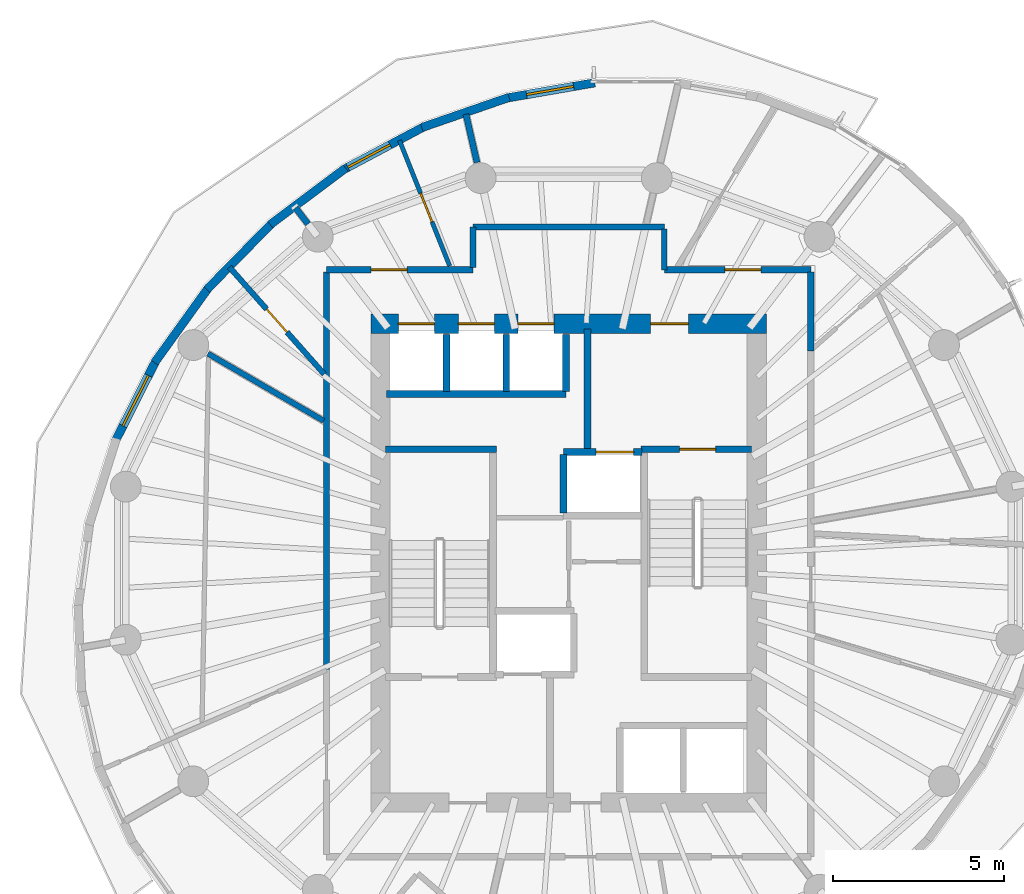
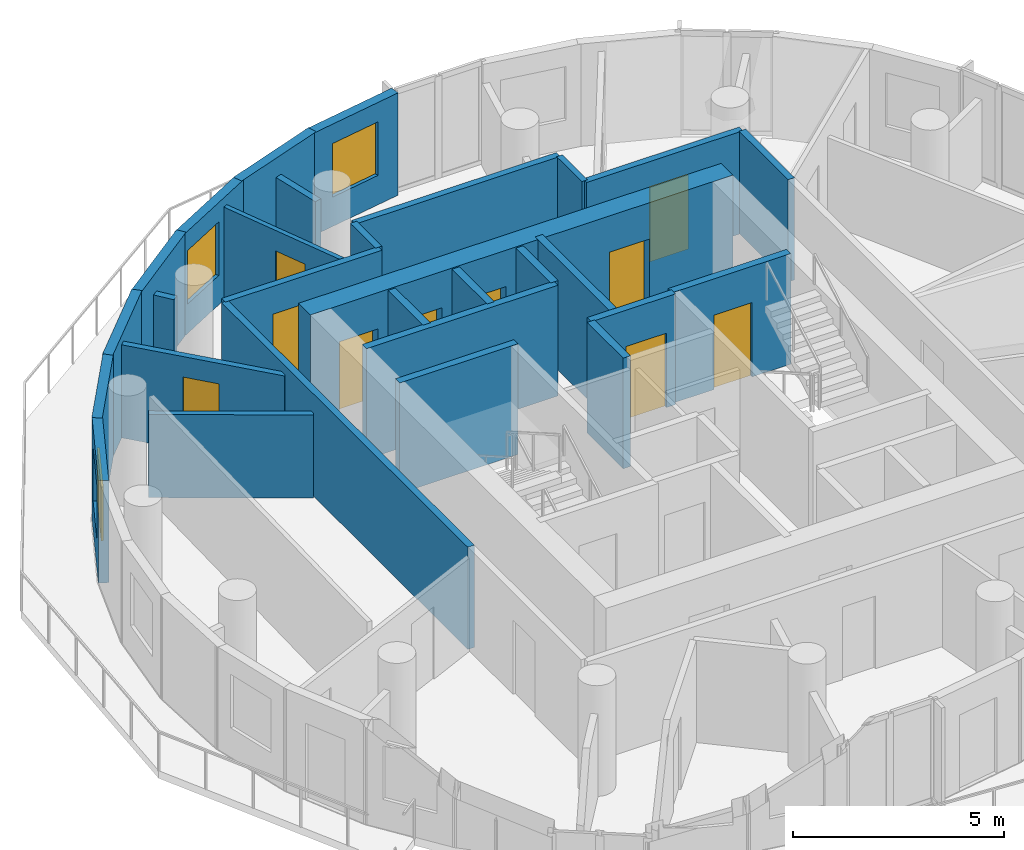
# One storey, part 6 of 10: 29 walls, 10 doors, 3 windows, 13 openings.
"""IFC4 building model written with IfcOpenShell, lengths in metres."""

from ifc_helpers import new_model, si_unit, direction, frame, frame_2d, origin, place, context, subcontext, project, spatial, rectangle, extrude, material, layer, layer_set, type_object, element, fill, save


model = new_model("IFC4")

# Units and contexts
model_context = context("Model", 3, precision=1e-05, world=origin(), true_north=direction((0.0, 1.0)))
body_context = subcontext(model_context, "Body", "Model", "MODEL_VIEW")
ifc_project = project(units=[si_unit("LENGTHUNIT", "METRE"), si_unit("AREAUNIT", "SQUARE_METRE"), si_unit("VOLUMEUNIT", "CUBIC_METRE"), si_unit("PLANEANGLEUNIT", "RADIAN"), si_unit("MASSUNIT", "GRAM", prefix="KILO")], contexts=[model_context])

# Site, building, storey
site_placement = place(None, origin())
site = spatial("IfcSite", under=ifc_project, at=site_placement, CompositionType="ELEMENT")
building_placement = place(site_placement, origin())
building = spatial("IfcBuilding", under=site, at=building_placement, Name="Veldorim Arch Residences", CompositionType="ELEMENT")
storey_placement = place(building_placement, frame((0.0, 0.0, 172.639892578125)))
storey = spatial("IfcBuildingStorey", under=building, at=storey_placement, Name="L51", CompositionType="ELEMENT", Elevation=172.639892578125)

# Wall, opening, door
ifc_material_1 = material(Name="Acoustic Gypsum Board", Category="gypsum")
ifc_layer_1 = layer(ifc_material_1, 0.125, Name="Acoustic Stud Room Partition Wall 125")
ifc_layer_set_1 = layer_set([ifc_layer_1], Name="Acoustic Gypsum Board")
wall_type_1 = type_object("IfcWallType", Name="Acoustic Stud Room Partition Wall 125", PredefinedType="PARTITIONING", material=ifc_layer_set_1)
wall_1_placement = place(storey_placement, frame((27.052734375, 36.364990234375, 0.0), z_axis=(0.0, 0.0, 1.0), x_axis=(0.371454506587, -0.928451156247, 0.0)))
wall_1 = element("IfcWall", 1, at=wall_1_placement, inside=storey, type_object=wall_type_1, Name="L51 interior wall WL-RES-L51-022", PredefinedType="PARTITIONING", context=body_context, shape_type="SweptSolid", body=[
    extrude(rectangle(XDim=3.956787109375, YDim=0.125, at=frame_2d((1.978515625, 0.0))), origin(), (0.0, 0.0, 1.0), 2.692138671875),
])
opening_1_placement = place(wall_1_placement, frame((1.66845703125, 0.0, 0.0)))
opening_1 = element("IfcOpeningElement", 2, at=opening_1_placement, cuts=wall_1, Name="Opening DR-INT", PredefinedType="OPENING", context=body_context, shape_type="SweptSolid", body=[
    extrude(rectangle(XDim=0.89990234375, YDim=2.10009765625, at=frame_2d((0.449951171875, 1.050048828125))), frame((0.0, 0.072509765625, 0.0), z_axis=(0.0, -1.0, 0.0), x_axis=(1.0, 0.0, 0.0)), (0.0, 0.0, 1.0), 0.14501953125),
])
ifc_material_2 = material(Name="Engineered Timber", Category="wood")
door_type_1 = type_object("IfcDoorType", Name="Apartment Internal Room Timber Door 900x2100", OperationType="SINGLE_SWING_LEFT", PredefinedType="DOOR", material=ifc_material_2)
door_1_placement = place(opening_1_placement, origin())
door_1 = element("IfcDoor", 3, at=door_1_placement, inside=storey, type_object=door_type_1, Name="L51 interior door DR-RES-L51-012", OperationType="SINGLE_SWING_RIGHT", OverallHeight=2.10009765625, OverallWidth=0.89990234375, PredefinedType="DOOR", context=body_context, shape_type="SweptSolid", body=[
    extrude(rectangle(XDim=0.89990234375, YDim=2.10009765625, at=frame_2d((0.449951171875, 1.050048828125))), frame((0.0, 0.02490234375, 0.0), z_axis=(0.0, -1.0, 0.0), x_axis=(1.0, 0.0, 0.0)), (0.0, 0.0, 1.0), 0.050048828125),
])
fill(opening_1, door_1)

# Walls
ifc_material_3 = material(Name="Lightweight Masonry Block & Gypsum", Category="masonry")
ifc_layer_2 = layer(ifc_material_3, 0.179931640625, Name="Compartment & Corridor Fire-Rated Party Wall 180")
ifc_layer_set_2 = layer_set([ifc_layer_2], Name="Lightweight Masonry Block & Gypsum")
wall_type_2 = type_object("IfcWallType", Name="Compartment & Corridor Fire-Rated Party Wall 180", PredefinedType="PARTITIONING", material=ifc_layer_set_2)
wall_2_placement = place(storey_placement, frame((29.320068359375, 35.717529296875, 0.0), z_axis=(0.0, 0.0, 1.0), x_axis=(-0.22299884629, 0.974818708557, 0.0)))
element("IfcWall", 4, at=wall_2_placement, inside=storey, type_object=wall_type_2, Name="L51 interior wall WL-PIER-L51-05", PredefinedType="PARTITIONING", context=body_context, shape_type="SweptSolid", body=[
    extrude(rectangle(XDim=1.447265625, YDim=0.179931640625, at=frame_2d((0.7236328125, 0.0))), origin(), (0.0, 0.0, 1.0), 2.403564453125),
])
wall_3_placement = place(storey_placement, frame((24.380126953125, 33.91796875, 0.0), z_axis=(0.0, 0.0, 1.0), x_axis=(-0.609274747308, 0.792959193334, 0.0)))
element("IfcWall", 5, at=wall_3_placement, inside=storey, type_object=wall_type_2, Name="L51 interior wall WL-PIER-L51-06", PredefinedType="PARTITIONING", context=body_context, shape_type="SweptSolid", body=[
    extrude(rectangle(XDim=0.595458984375, YDim=0.179931640625, at=frame_2d((0.2978515625, 0.0))), origin(), (0.0, 0.0, 1.0), 2.403564453125),
])

# Wall, opening, door
wall_4_placement = place(storey_placement, frame((34.800048828125, 32.580078125, 0.0), z_axis=(0.0, 0.0, 1.0), x_axis=(1.0, 0.0, 0.0)))
wall_4 = element("IfcWall", 6, at=wall_4_placement, inside=storey, type_object=wall_type_2, Name="L51 interior wall WL-RES-L51-003", PredefinedType="PARTITIONING", context=body_context, shape_type="SweptSolid", body=[
    extrude(rectangle(XDim=4.280029296875, YDim=0.179931640625, at=frame_2d((2.14013671875, 0.0))), origin(), (0.0, 0.0, 1.0), 2.955078125),
])
opening_2_placement = place(wall_4_placement, frame((1.76904296875, 0.0, 0.0)))
opening_2 = element("IfcOpeningElement", 7, at=opening_2_placement, cuts=wall_4, Name="Opening DR-FLT", PredefinedType="OPENING", context=body_context, shape_type="SweptSolid", body=[
    extrude(rectangle(XDim=1.050048828125, YDim=2.14990234375, at=frame_2d((0.52490234375, 1.074951171875))), frame((0.0, 0.099853515625, 0.0), z_axis=(0.0, -1.0, 0.0), x_axis=(1.0, 0.0, 0.0)), (0.0, 0.0, 1.0), 0.199951171875),
])
ifc_material_4 = material(Name="Fire-Rated Timber", Category="wood")
door_type_2 = type_object("IfcDoorType", Name="Apartment Entrance Solid-Core Fire Door 1050x2150", OperationType="SINGLE_SWING_LEFT", PredefinedType="DOOR", material=ifc_material_4)
door_2_placement = place(opening_2_placement, origin())
door_2 = element("IfcDoor", 8, at=door_2_placement, inside=storey, type_object=door_type_2, Name="L51 interior door DR-RES-L51-006", OperationType="SINGLE_SWING_RIGHT", OverallHeight=2.14990234375, OverallWidth=1.050048828125, PredefinedType="DOOR", context=body_context, shape_type="SweptSolid", body=[
    extrude(rectangle(XDim=1.050048828125, YDim=2.14990234375, at=frame_2d((0.52490234375, 1.074951171875))), frame((0.0, 0.02490234375, 0.0), z_axis=(0.0, -1.0, 0.0), x_axis=(1.0, 0.0, 0.0)), (0.0, 0.0, 1.0), 0.050048828125),
])
fill(opening_2, door_2)

# Walls
wall_5_placement = place(storey_placement, frame((39.080078125, 32.52001953125, 0.0), z_axis=(0.0, 0.0, 1.0), x_axis=(0.0, -1.0, 0.0)))
element("IfcWall", 9, at=wall_5_placement, inside=storey, type_object=wall_type_2, Name="L51 interior wall WL-RES-L51-004", PredefinedType="PARTITIONING", context=body_context, shape_type="SweptSolid", body=[
    extrude(rectangle(XDim=2.31884765625, YDim=0.179931640625, at=frame_2d((1.159423828125, 0.0))), origin(), (0.0, 0.0, 1.0), 2.955078125),
])
wall_6_placement = place(storey_placement, frame((29.199951171875, 33.830078125, 0.0), z_axis=(0.0, 0.0, 1.0), x_axis=(1.0, 0.0, 0.0)))
element("IfcWall", 10, at=wall_6_placement, inside=storey, type_object=wall_type_2, Name="L51 interior wall WL-RES-L51-005", PredefinedType="PARTITIONING", context=body_context, shape_type="SweptSolid", body=[
    extrude(rectangle(XDim=5.60009765625, YDim=0.179931640625, at=frame_2d((2.800048828125, 0.0))), origin(), (0.0, 0.0, 1.0), 2.955078125),
])

# Wall, opening, door
wall_7_placement = place(storey_placement, frame((24.919921875, 32.580078125, 0.0), z_axis=(0.0, 0.0, 1.0), x_axis=(1.0, 0.0, 0.0)))
wall_7 = element("IfcWall", 11, at=wall_7_placement, inside=storey, type_object=wall_type_2, Name="L51 interior wall WL-RES-L51-007", PredefinedType="PARTITIONING", context=body_context, shape_type="SweptSolid", body=[
    extrude(rectangle(XDim=4.280029296875, YDim=0.179931640625, at=frame_2d((2.14013671875, 0.0))), origin(), (0.0, 0.0, 1.0), 2.955078125),
])
opening_3_placement = place(wall_7_placement, frame((1.30859375, 0.0, 0.0)))
opening_3 = element("IfcOpeningElement", 12, at=opening_3_placement, cuts=wall_7, Name="Opening DR-FLT", PredefinedType="OPENING", context=body_context, shape_type="SweptSolid", body=[
    extrude(rectangle(XDim=1.050048828125, YDim=2.14990234375, at=frame_2d((0.52490234375, 1.074951171875))), frame((0.0, 0.099853515625, 0.0), z_axis=(0.0, -1.0, 0.0), x_axis=(1.0, 0.0, 0.0)), (0.0, 0.0, 1.0), 0.199951171875),
])
door_3_placement = place(opening_3_placement, origin())
door_3 = element("IfcDoor", 13, at=door_3_placement, inside=storey, type_object=door_type_2, Name="L51 interior door DR-RES-L51-010", OperationType="SINGLE_SWING_RIGHT", OverallHeight=2.14990234375, OverallWidth=1.050048828125, PredefinedType="DOOR", context=body_context, shape_type="SweptSolid", body=[
    extrude(rectangle(XDim=1.050048828125, YDim=2.14990234375, at=frame_2d((0.52490234375, 1.074951171875))), frame((0.0, 0.02490234375, 0.0), z_axis=(0.0, -1.0, 0.0), x_axis=(1.0, 0.0, 0.0)), (0.0, 0.0, 1.0), 0.050048828125),
])
fill(opening_3, door_3)

# Walls
wall_8_placement = place(storey_placement, frame((24.919921875, 20.85009765625, 0.0), z_axis=(0.0, 0.0, 1.0), x_axis=(0.0, 1.0, 0.0)))
element("IfcWall", 14, at=wall_8_placement, inside=storey, type_object=wall_type_2, Name="L51 interior wall WL-RES-L51-008", PredefinedType="PARTITIONING", context=body_context, shape_type="SweptSolid", body=[
    extrude(rectangle(XDim=11.669921875, YDim=0.179931640625, at=frame_2d((5.8349609375, 0.0))), origin(), (0.0, 0.0, 1.0), 2.955078125),
])
wall_9_placement = place(storey_placement, frame((29.199951171875, 32.639892578125, 0.0), z_axis=(0.0, 0.0, 1.0), x_axis=(0.0, 1.0, 0.0)))
element("IfcWall", 15, at=wall_9_placement, inside=storey, type_object=wall_type_2, Name="L51 interior wall WL-RES-L51-009", PredefinedType="PARTITIONING", context=body_context, shape_type="SweptSolid", body=[
    extrude(rectangle(XDim=1.190185546875, YDim=0.179931640625, at=frame_2d((0.59521484375, 0.0))), origin(), (0.0, 0.0, 1.0), 2.955078125),
])
ifc_material_5 = material(Name="Concrete C50/60", Category="concrete")
ifc_layer_3 = layer(ifc_material_5, 0.199951171875, Name="Core Stair & Lift Shaft Enclosure Wall 200")
ifc_layer_set_3 = layer_set([ifc_layer_3], Name="Concrete C50/60")
wall_type_3 = type_object("IfcWallType", Name="Core Stair & Lift Shaft Enclosure Wall 200", PredefinedType="SHEAR", material=ifc_layer_set_3)
wall_10_placement = place(storey_placement, frame((26.64990234375, 27.330078125, 0.0), z_axis=(0.0, 0.0, 1.0), x_axis=(1.0, 0.0, 0.0)))
element("IfcWall", 16, at=wall_10_placement, inside=storey, type_object=wall_type_3, Name="L51 shaft wall WL-SHF-L51-ST1-N", PredefinedType="SHEAR", context=body_context, shape_type="SweptSolid", body=[
    extrude(rectangle(XDim=3.239990234375, YDim=0.199951171875, at=frame_2d((1.6201171875, 0.0))), origin(), (0.0, 0.0, 1.0), 3.2001953125),
])

# Wall, opening, door
wall_11_placement = place(storey_placement, frame((34.110107421875, 27.330078125, 0.0), z_axis=(0.0, 0.0, 1.0), x_axis=(1.0, 0.0, 0.0)))
wall_11 = element("IfcWall", 17, at=wall_11_placement, inside=storey, type_object=wall_type_3, Name="L51 shaft wall WL-SHF-L51-ST2-N", PredefinedType="SHEAR", context=body_context, shape_type="SweptSolid", body=[
    extrude(rectangle(XDim=3.239990234375, YDim=0.199951171875, at=frame_2d((1.6201171875, 0.0))), origin(), (0.0, 0.0, 1.0), 3.2001953125),
])
opening_4_placement = place(wall_11_placement, frame((1.135009765625, 0.0, 0.0)))
opening_4 = element("IfcOpeningElement", 18, at=opening_4_placement, cuts=wall_11, Name="Opening DR-ST", PredefinedType="OPENING", context=body_context, shape_type="SweptSolid", body=[
    extrude(rectangle(XDim=1.050048828125, YDim=2.14990234375, at=frame_2d((0.52490234375, 1.074951171875))), frame((0.0, 0.10986328125, 0.0), z_axis=(0.0, -1.0, 0.0), x_axis=(1.0, 0.0, 0.0)), (0.0, 0.0, 1.0), 0.219970703125),
])
ifc_material_6 = material(Name="Fire-Rated Steel", Category="steel")
door_type_3 = type_object("IfcDoorType", Name="Exit Staircase Self-Closing Fire Door 1050x2150", OperationType="SINGLE_SWING_LEFT", PredefinedType="DOOR", material=ifc_material_6)
door_4_placement = place(opening_4_placement, origin())
door_4 = element("IfcDoor", 19, at=door_4_placement, inside=storey, type_object=door_type_3, Name="L51 interior door DR-L51-ST2", OperationType="SINGLE_SWING_RIGHT", OverallHeight=2.14990234375, OverallWidth=1.050048828125, PredefinedType="DOOR", context=body_context, shape_type="SweptSolid", body=[
    extrude(rectangle(XDim=1.050048828125, YDim=2.14990234375, at=frame_2d((0.52490234375, 1.074951171875))), frame((0.0, 0.02490234375, 0.0), z_axis=(0.0, -1.0, 0.0), x_axis=(1.0, 0.0, 0.0)), (0.0, 0.0, 1.0), 0.050048828125),
])
fill(opening_4, door_4)

# Wall
wall_12_placement = place(storey_placement, frame((32.550048828125, 27.35009765625, 0.0), z_axis=(0.0, 0.0, 1.0), x_axis=(0.0, 1.0, 0.0)))
element("IfcWall", 20, at=wall_12_placement, inside=storey, type_object=wall_type_3, Name="L51 shaft wall WL-FFL2-L51-W", PredefinedType="SHEAR", context=body_context, shape_type="SweptSolid", body=[
    extrude(rectangle(XDim=3.5, YDim=0.199951171875, at=frame_2d((1.75, 0.0))), origin(), (0.0, 0.0, 1.0), 3.2001953125),
])

# Wall, opening, door
wall_13_placement = place(storey_placement, frame((31.85009765625, 27.25, 0.0), z_axis=(0.0, 0.0, 1.0), x_axis=(1.0, 0.0, 0.0)))
wall_13 = element("IfcWall", 21, at=wall_13_placement, inside=storey, type_object=wall_type_3, Name="L51 shaft wall WL-FL02-L51-N", PredefinedType="SHEAR", context=body_context, shape_type="SweptSolid", body=[
    extrude(rectangle(XDim=2.2998046875, YDim=0.199951171875, at=frame_2d((1.14990234375, 0.0))), origin(), (0.0, 0.0, 1.0), 3.2001953125),
])
opening_5_placement = place(wall_13_placement, frame((0.949951171875, 0.0, 0.0)))
opening_5 = element("IfcOpeningElement", 22, at=opening_5_placement, cuts=wall_13, Name="Opening LD-FF", PredefinedType="OPENING", context=body_context, shape_type="SweptSolid", body=[
    extrude(rectangle(XDim=1.10009765625, YDim=2.14990234375, at=frame_2d((0.550048828125, 1.074951171875))), frame((0.0, 0.10986328125, 0.0), z_axis=(0.0, -1.0, 0.0), x_axis=(1.0, 0.0, 0.0)), (0.0, 0.0, 1.0), 0.219970703125),
])
ifc_material_7 = material(Name="Stainless Steel", Category="steel")
door_type_4 = type_object("IfcDoorType", Name="Firefighting Lift Bi-Parting Sliding Landing Door 1100x2150", OperationType="DOUBLE_DOOR_SLIDING", PredefinedType="DOOR", material=ifc_material_7)
door_5_placement = place(opening_5_placement, origin())
door_5 = element("IfcDoor", 23, at=door_5_placement, inside=storey, type_object=door_type_4, Name="L51 lift landing door LD-L51-FL02", OperationType="DOUBLE_DOOR_SLIDING", OverallHeight=2.14990234375, OverallWidth=1.10009765625, PredefinedType="DOOR", context=body_context, shape_type="SweptSolid", body=[
    extrude(rectangle(XDim=1.10009765625, YDim=2.14990234375, at=frame_2d((0.550048828125, 1.074951171875))), frame((0.0, 0.02490234375, 0.0), z_axis=(0.0, -1.0, 0.0), x_axis=(1.0, 0.0, 0.0)), (0.0, 0.0, 1.0), 0.050048828125),
])
fill(opening_5, door_5)

# Walls
wall_14_placement = place(storey_placement, frame((31.85009765625, 25.469970703125, 0.0), z_axis=(0.0, 0.0, 1.0), x_axis=(0.0, 1.0, 0.0)))
element("IfcWall", 24, at=wall_14_placement, inside=storey, type_object=wall_type_3, Name="L51 shaft wall WL-FL02-L51-W", PredefinedType="SHEAR", context=body_context, shape_type="SweptSolid", body=[
    extrude(rectangle(XDim=1.7099609375, YDim=0.199951171875, at=frame_2d((0.85498046875, 0.0))), origin(), (0.0, 0.0, 1.0), 3.2001953125),
])
wall_15_placement = place(storey_placement, frame((26.679931640625, 28.949951171875, 0.0), z_axis=(0.0, 0.0, 1.0), x_axis=(1.0, 0.0, 0.0)))
element("IfcWall", 25, at=wall_15_placement, inside=storey, type_object=wall_type_3, Name="L51 shaft wall WL-B3-L51-S", PredefinedType="SHEAR", context=body_context, shape_type="SweptSolid", body=[
    extrude(rectangle(XDim=5.239990234375, YDim=0.199951171875, at=frame_2d((2.6201171875, 0.0))), origin(), (0.0, 0.0, 1.0), 3.2001953125),
])
for number, where, z_axis, x_axis, name in (
    (26, (31.919921875, 29.02001953125, 0.0), (0.0, 0.0, 1.0), (0.0, 1.0, 0.0), "L51 shaft wall WL-B3-L51-E"),
    (27, (28.425048828125, 29.02001953125, 0.0), (0.0, 0.0, 1.0), (0.0, 1.0, 0.0), "L51 shaft wall WL-B3-L51-D1"),
    (28, (30.175048828125, 29.02001953125, 0.0), (0.0, 0.0, 1.0), (0.0, 1.0, 0.0), "L51 shaft wall WL-B3-L51-D2"),
):
    element("IfcWall", number, at=place(storey_placement, frame(where, z_axis=z_axis, x_axis=x_axis)), inside=storey, type_object=wall_type_3, Name=name, PredefinedType="SHEAR", context=body_context, shape_type="SweptSolid", body=[
        extrude(rectangle(XDim=1.659912109375, YDim=0.199951171875, at=frame_2d((0.830078125, 0.0))), origin(), (0.0, 0.0, 1.0), 3.2001953125),
    ])

# Wall, opening, window
ifc_material_8 = material(Name="Precast concrete C40/50", Category="concrete")
ifc_layer_4 = layer(ifc_material_8, 0.25, Name="Tower Terracotta Spandrel & Pier Wall 250")
ifc_layer_set_4 = layer_set([ifc_layer_4], Name="Precast concrete C40/50")
wall_type_4 = type_object("IfcWallType", Name="Tower Terracotta Spandrel & Pier Wall 250", PredefinedType="SOLIDWALL", material=ifc_layer_set_4)
wall_16_placement = place(storey_placement, frame((30.15185546875, 37.595458984375, 0.0), z_axis=(0.0, 0.0, 1.0), x_axis=(0.985331154473, 0.170653203967, 0.0)))
wall_16 = element("IfcWall", 29, at=wall_16_placement, inside=storey, type_object=wall_type_4, Name="L51 terracotta facade wall 06", PredefinedType="SOLIDWALL", context=body_context, shape_type="SweptSolid", body=[
    extrude(rectangle(XDim=2.65087890625, YDim=0.25, at=frame_2d((1.325439453125, 0.0))), origin(), (0.0, 0.0, 1.0), 2.960205078125),
])
opening_6_placement = place(wall_16_placement, frame((0.625, 0.0, 0.85009765625)))
opening_6 = element("IfcOpeningElement", 30, at=opening_6_placement, cuts=wall_16, Name="Opening WN-02", PredefinedType="OPENING", context=body_context, shape_type="SweptSolid", body=[
    extrude(rectangle(XDim=1.39990234375, YDim=1.550048828125, at=frame_2d((0.699951171875, 0.77490234375))), frame((0.0, 0.135009765625, 0.0), z_axis=(0.0, -1.0, 0.0), x_axis=(1.0, 0.0, 0.0)), (0.0, 0.0, 1.0), 0.27001953125),
])
ifc_material_9 = material(Name="Laminated Low-E Glass", Category="glass")
window_type_1 = type_object("IfcWindowType", Name="Residential Casement Window 1400x1550", PartitioningType="SINGLE_PANEL", PredefinedType="WINDOW", material=ifc_material_9)
window_1_placement = place(opening_6_placement, origin())
window_1 = element("IfcWindow", 31, at=window_1_placement, inside=storey, type_object=window_type_1, Name="L51 solar-control facade window 06", OverallHeight=1.550048828125, OverallWidth=1.39990234375, PartitioningType="SINGLE_PANEL", PredefinedType="WINDOW", context=body_context, shape_type="SweptSolid", body=[
    extrude(rectangle(XDim=1.39990234375, YDim=1.550048828125, at=frame_2d((0.699951171875, 0.77490234375))), frame((0.0, 0.030029296875, 0.0), z_axis=(0.0, -1.0, 0.0), x_axis=(1.0, 0.0, 0.0)), (0.0, 0.0, 1.0), 0.06005859375),
])
fill(opening_6, window_1)

# Wall
wall_17_placement = place(storey_placement, frame((27.705078125, 36.7392578125, 0.0), z_axis=(0.0, 0.0, 1.0), x_axis=(0.945016150651, 0.327023661236, 0.0)))
element("IfcWall", 32, at=wall_17_placement, inside=storey, type_object=wall_type_4, Name="L51 terracotta facade wall 07", PredefinedType="SOLIDWALL", context=body_context, shape_type="SweptSolid", body=[
    extrude(rectangle(XDim=2.70166015625, YDim=0.25, at=frame_2d((1.350830078125, 0.0))), origin(), (0.0, 0.0, 1.0), 2.960205078125),
])

# Wall, opening, window
wall_18_placement = place(storey_placement, frame((25.388427734375, 35.495361328125, 0.0), z_axis=(0.0, 0.0, 1.0), x_axis=(0.88257494418, 0.47017174299, 0.0)))
wall_18 = element("IfcWall", 33, at=wall_18_placement, inside=storey, type_object=wall_type_4, Name="L51 terracotta facade wall 08", PredefinedType="SOLIDWALL", context=body_context, shape_type="SweptSolid", body=[
    extrude(rectangle(XDim=2.738525390625, YDim=0.25, at=frame_2d((1.369140625, 0.0))), origin(), (0.0, 0.0, 1.0), 2.960205078125),
])
opening_7_placement = place(wall_18_placement, frame((0.175048828125, 0.0, 0.85009765625)))
opening_7 = element("IfcOpeningElement", 34, at=opening_7_placement, cuts=wall_18, Name="Opening WN-02", PredefinedType="OPENING", context=body_context, shape_type="SweptSolid", body=[
    extrude(rectangle(XDim=1.39990234375, YDim=1.550048828125, at=frame_2d((0.699951171875, 0.77490234375))), frame((0.0, 0.135009765625, 0.0), z_axis=(0.0, -1.0, 0.0), x_axis=(1.0, 0.0, 0.0)), (0.0, 0.0, 1.0), 0.27001953125),
])
window_2_placement = place(opening_7_placement, origin())
window_2 = element("IfcWindow", 35, at=window_2_placement, inside=storey, type_object=window_type_1, Name="L51 solar-control facade window 08", OverallHeight=1.550048828125, OverallWidth=1.39990234375, PartitioningType="SINGLE_PANEL", PredefinedType="WINDOW", context=body_context, shape_type="SweptSolid", body=[
    extrude(rectangle(XDim=1.39990234375, YDim=1.550048828125, at=frame_2d((0.699951171875, 0.77490234375))), frame((0.0, 0.030029296875, 0.0), z_axis=(0.0, -1.0, 0.0), x_axis=(1.0, 0.0, 0.0)), (0.0, 0.0, 1.0), 0.06005859375),
])
fill(opening_7, window_2)

# Walls
wall_19_placement = place(storey_placement, frame((23.272216796875, 33.9013671875, 0.0), z_axis=(0.0, 0.0, 1.0), x_axis=(0.800636941996, 0.599149803564, 0.0)))
element("IfcWall", 36, at=wall_19_placement, inside=storey, type_object=wall_type_4, Name="L51 terracotta facade wall 09", PredefinedType="SOLIDWALL", context=body_context, shape_type="SweptSolid", body=[
    extrude(rectangle(XDim=2.7578125, YDim=0.25, at=frame_2d((1.37890625, 0.0))), origin(), (0.0, 0.0, 1.0), 2.960205078125),
])
wall_20_placement = place(storey_placement, frame((21.421142578125, 32.00537109375, 0.0), z_axis=(0.0, 0.0, 1.0), x_axis=(0.700794099323, 0.713363603189, 0.0)))
element("IfcWall", 37, at=wall_20_placement, inside=storey, type_object=wall_type_4, Name="L51 terracotta facade wall 10", PredefinedType="SOLIDWALL", context=body_context, shape_type="SweptSolid", body=[
    extrude(rectangle(XDim=2.758056640625, YDim=0.25, at=frame_2d((1.37890625, 0.0))), origin(), (0.0, 0.0, 1.0), 2.960205078125),
])
wall_21_placement = place(storey_placement, frame((19.892333984375, 29.865478515625, 0.0), z_axis=(0.0, 0.0, 1.0), x_axis=(0.583975860001, 0.811771023711, 0.0)))
element("IfcWall", 38, at=wall_21_placement, inside=storey, type_object=wall_type_4, Name="L51 terracotta facade wall 11", PredefinedType="SOLIDWALL", context=body_context, shape_type="SweptSolid", body=[
    extrude(rectangle(XDim=2.73828125, YDim=0.25, at=frame_2d((1.369140625, 0.0))), origin(), (0.0, 0.0, 1.0), 2.960205078125),
])

# Wall, opening, window
wall_22_placement = place(storey_placement, frame((18.732177734375, 27.546630859375, 0.0), z_axis=(0.0, 0.0, 1.0), x_axis=(0.450391703917, 0.892831066352, 0.0)))
wall_22 = element("IfcWall", 39, at=wall_22_placement, inside=storey, type_object=wall_type_4, Name="L51 terracotta facade wall 12", PredefinedType="SOLIDWALL", context=body_context, shape_type="SweptSolid", body=[
    extrude(rectangle(XDim=2.70166015625, YDim=0.25, at=frame_2d((1.350830078125, 0.0))), origin(), (0.0, 0.0, 1.0), 2.960205078125),
])
opening_8_placement = place(wall_22_placement, frame((0.52587890625, 0.0, 0.85009765625)))
opening_8 = element("IfcOpeningElement", 40, at=opening_8_placement, cuts=wall_22, Name="Opening WN-03", PredefinedType="OPENING", context=body_context, shape_type="SweptSolid", body=[
    extrude(rectangle(XDim=1.64990234375, YDim=1.550048828125, at=frame_2d((0.824951171875, 0.77490234375))), frame((0.0, 0.135009765625, 0.0), z_axis=(0.0, -1.0, 0.0), x_axis=(1.0, 0.0, 0.0)), (0.0, 0.0, 1.0), 0.27001953125),
])
ifc_material_10 = material(Name="Laminated Low-E Glass", Category="glass")
window_type_2 = type_object("IfcWindowType", Name="Residential Wide Window 1650x1550", PartitioningType="SINGLE_PANEL", PredefinedType="WINDOW", material=ifc_material_10)
window_3_placement = place(opening_8_placement, origin())
window_3 = element("IfcWindow", 41, at=window_3_placement, inside=storey, type_object=window_type_2, Name="L51 solar-control facade window 12", OverallHeight=1.550048828125, OverallWidth=1.64990234375, PartitioningType="SINGLE_PANEL", PredefinedType="WINDOW", context=body_context, shape_type="SweptSolid", body=[
    extrude(rectangle(XDim=1.64990234375, YDim=1.550048828125, at=frame_2d((0.824951171875, 0.77490234375))), frame((0.0, 0.030029296875, 0.0), z_axis=(0.0, -1.0, 0.0), x_axis=(1.0, 0.0, 0.0)), (0.0, 0.0, 1.0), 0.06005859375),
])
fill(opening_8, window_3)

# Wall, openings, doors
ifc_material_11 = material(Name="Concrete C50/60", Category="concrete")
ifc_layer_5 = layer(ifc_material_11, 0.5, Name="Upper Central Core Shear Wall 560")
ifc_layer_set_5 = layer_set([ifc_layer_5], Name="Concrete C50/60")
wall_type_5 = type_object("IfcWallType", Name="Upper Central Core Shear Wall 560", PredefinedType="SHEAR", material=ifc_layer_set_5)
wall_23_placement = place(storey_placement, frame((26.219970703125, 31.0, 0.0), z_axis=(0.0, 0.0, 1.0), x_axis=(1.0, 0.0, 0.0)))
wall_23 = element("IfcWall", 42, at=wall_23_placement, inside=storey, type_object=wall_type_5, Name="L51 central core north shear wall", PredefinedType="SHEAR", context=body_context, shape_type="SweptSolid", body=[
    extrude(rectangle(XDim=11.56005859375, YDim=0.56005859375, at=frame_2d((5.780029296875, 0.0))), origin(), (0.0, 0.0, 1.0), 3.2001953125),
])
opening_9_placement = place(wall_23_placement, frame((8.179931640625, 0.0, 0.0)))
opening_9 = element("IfcOpeningElement", 43, at=opening_9_placement, cuts=wall_23, Name="Opening DR-FFL", PredefinedType="OPENING", context=body_context, shape_type="SweptSolid", body=[
    extrude(rectangle(XDim=1.10009765625, YDim=2.14990234375, at=frame_2d((0.550048828125, 1.074951171875))), frame((0.0, 0.2900390625, 0.0), z_axis=(0.0, -1.0, 0.0), x_axis=(1.0, 0.0, 0.0)), (0.0, 0.0, 1.0), 0.580078125),
])
opening_10_placement = place(wall_23_placement, frame((0.804931640625, 0.0, 0.0)))
opening_10 = element("IfcOpeningElement", 44, at=opening_10_placement, cuts=wall_23, Name="Opening LD-PS", PredefinedType="OPENING", context=body_context, shape_type="SweptSolid", body=[
    extrude(rectangle(XDim=1.050048828125, YDim=2.14990234375, at=frame_2d((0.52490234375, 1.074951171875))), frame((0.0, 0.2900390625, 0.0), z_axis=(0.0, -1.0, 0.0), x_axis=(1.0, 0.0, 0.0)), (0.0, 0.0, 1.0), 0.580078125),
])
opening_11_placement = place(wall_23_placement, frame((2.554931640625, 0.0, 0.0)))
opening_11 = element("IfcOpeningElement", 45, at=opening_11_placement, cuts=wall_23, Name="Opening LD-PS", PredefinedType="OPENING", context=body_context, shape_type="SweptSolid", body=[
    extrude(rectangle(XDim=1.050048828125, YDim=2.14990234375, at=frame_2d((0.52490234375, 1.074951171875))), frame((0.0, 0.2900390625, 0.0), z_axis=(0.0, -1.0, 0.0), x_axis=(1.0, 0.0, 0.0)), (0.0, 0.0, 1.0), 0.580078125),
])
opening_12_placement = place(wall_23_placement, frame((4.304931640625, 0.0, 0.0)))
opening_12 = element("IfcOpeningElement", 46, at=opening_12_placement, cuts=wall_23, Name="Opening LD-PS", PredefinedType="OPENING", context=body_context, shape_type="SweptSolid", body=[
    extrude(rectangle(XDim=1.050048828125, YDim=2.14990234375, at=frame_2d((0.52490234375, 1.074951171875))), frame((0.0, 0.2900390625, 0.0), z_axis=(0.0, -1.0, 0.0), x_axis=(1.0, 0.0, 0.0)), (0.0, 0.0, 1.0), 0.580078125),
])
ifc_material_12 = material(Name="Fire-Rated Steel & Vision Glass", Category="steel")
door_type_5 = type_object("IfcDoorType", Name="Firefighting Lobby Smoke-Stop Fire Door 1100x2150", OperationType="SINGLE_SWING_LEFT", PredefinedType="DOOR", material=ifc_material_12)
door_6_placement = place(opening_9_placement, origin())
door_6 = element("IfcDoor", 47, at=door_6_placement, inside=storey, type_object=door_type_5, Name="L51 interior door DR-L51-FFL2", OperationType="SINGLE_SWING_LEFT", OverallHeight=2.14990234375, OverallWidth=1.10009765625, PredefinedType="DOOR", context=body_context, shape_type="SweptSolid", body=[
    extrude(rectangle(XDim=1.10009765625, YDim=2.14990234375, at=frame_2d((0.550048828125, 1.074951171875))), frame((0.0, 0.02490234375, 0.0), z_axis=(0.0, -1.0, 0.0), x_axis=(1.0, 0.0, 0.0)), (0.0, 0.0, 1.0), 0.050048828125),
])
fill(opening_9, door_6)
ifc_material_13 = material(Name="Stainless Steel", Category="steel")
door_type_6 = type_object("IfcDoorType", Name="Passenger Lift Bi-Parting Sliding Landing Door 1050x2150", OperationType="DOUBLE_DOOR_SLIDING", PredefinedType="DOOR", material=ifc_material_13)
door_7_placement = place(opening_10_placement, origin())
door_7 = element("IfcDoor", 48, at=door_7_placement, inside=storey, type_object=door_type_6, Name="L51 lift landing door LD-L51-PL-08", OperationType="DOUBLE_DOOR_SLIDING", OverallHeight=2.14990234375, OverallWidth=1.050048828125, PredefinedType="DOOR", context=body_context, shape_type="SweptSolid", body=[
    extrude(rectangle(XDim=1.050048828125, YDim=2.14990234375, at=frame_2d((0.52490234375, 1.074951171875))), frame((0.0, 0.02490234375, 0.0), z_axis=(0.0, -1.0, 0.0), x_axis=(1.0, 0.0, 0.0)), (0.0, 0.0, 1.0), 0.050048828125),
])
fill(opening_10, door_7)
door_8_placement = place(opening_11_placement, origin())
door_8 = element("IfcDoor", 49, at=door_8_placement, inside=storey, type_object=door_type_6, Name="L51 lift landing door LD-L51-PL-09", OperationType="DOUBLE_DOOR_SLIDING", OverallHeight=2.14990234375, OverallWidth=1.050048828125, PredefinedType="DOOR", context=body_context, shape_type="SweptSolid", body=[
    extrude(rectangle(XDim=1.050048828125, YDim=2.14990234375, at=frame_2d((0.52490234375, 1.074951171875))), frame((0.0, 0.02490234375, 0.0), z_axis=(0.0, -1.0, 0.0), x_axis=(1.0, 0.0, 0.0)), (0.0, 0.0, 1.0), 0.050048828125),
])
fill(opening_11, door_8)
door_9_placement = place(opening_12_placement, origin())
door_9 = element("IfcDoor", 50, at=door_9_placement, inside=storey, type_object=door_type_6, Name="L51 lift landing door LD-L51-PL-10", OperationType="DOUBLE_DOOR_SLIDING", OverallHeight=2.14990234375, OverallWidth=1.050048828125, PredefinedType="DOOR", context=body_context, shape_type="SweptSolid", body=[
    extrude(rectangle(XDim=1.050048828125, YDim=2.14990234375, at=frame_2d((0.52490234375, 1.074951171875))), frame((0.0, 0.02490234375, 0.0), z_axis=(0.0, -1.0, 0.0), x_axis=(1.0, 0.0, 0.0)), (0.0, 0.0, 1.0), 0.050048828125),
])
fill(opening_12, door_9)

# Wall
ifc_material_14 = material(Name="Moisture-Resistant Gypsum & Stud", Category="gypsum")
ifc_layer_6 = layer(ifc_material_14, 0.159912109375, Name="Wet-Area Moisture-Resistant Plumbing Wall 160")
ifc_layer_set_6 = layer_set([ifc_layer_6], Name="Moisture-Resistant Gypsum & Stud")
wall_type_6 = type_object("IfcWallType", Name="Wet-Area Moisture-Resistant Plumbing Wall 160", PredefinedType="PLUMBINGWALL", material=ifc_layer_set_6)
wall_24_placement = place(storey_placement, frame((34.800048828125, 33.77001953125, 0.0), z_axis=(0.0, 0.0, 1.0), x_axis=(0.0, -1.0, 0.0)))
element("IfcWall", 51, at=wall_24_placement, inside=storey, type_object=wall_type_6, Name="L51 interior wall WL-RES-L51-006", PredefinedType="PLUMBINGWALL", context=body_context, shape_type="SweptSolid", body=[
    extrude(rectangle(XDim=1.18994140625, YDim=0.159912109375, at=frame_2d((0.594970703125, 0.0))), origin(), (0.0, 0.0, 1.0), 2.955078125),
])

# Wall, opening, door
wall_25_placement = place(storey_placement, frame((24.853759765625, 29.526611328125, 0.0), z_axis=(0.0, 0.0, 1.0), x_axis=(-0.663007196405, 0.748613022539, 0.0)))
wall_25 = element("IfcWall", 52, at=wall_25_placement, inside=storey, type_object=wall_type_6, Name="L51 interior wall WL-RES-L51-021", PredefinedType="PLUMBINGWALL", context=body_context, shape_type="SweptSolid", body=[
    extrude(rectangle(XDim=4.180908203125, YDim=0.159912109375, at=frame_2d((2.09033203125, 0.0))), origin(), (0.0, 0.0, 1.0), 2.692138671875),
])
opening_13_placement = place(wall_25_placement, frame((1.640380859375, 0.0, 0.0)))
opening_13 = element("IfcOpeningElement", 53, at=opening_13_placement, cuts=wall_25, Name="Opening DR-WC", PredefinedType="OPENING", context=body_context, shape_type="SweptSolid", body=[
    extrude(rectangle(XDim=0.89990234375, YDim=2.10009765625, at=frame_2d((0.449951171875, 1.050048828125))), frame((0.0, 0.08984375, 0.0), z_axis=(0.0, -1.0, 0.0), x_axis=(1.0, 0.0, 0.0)), (0.0, 0.0, 1.0), 0.179931640625),
])
ifc_material_15 = material(Name="Laminate Timber", Category="wood")
door_type_7 = type_object("IfcDoorType", Name="Bathroom & Accessible WC Moisture-Sealed Door 900x2100", OperationType="SINGLE_SWING_LEFT", PredefinedType="DOOR", material=ifc_material_15)
door_10_placement = place(opening_13_placement, origin())
door_10 = element("IfcDoor", 54, at=door_10_placement, inside=storey, type_object=door_type_7, Name="L51 interior door DR-RES-L51-011", OperationType="SINGLE_SWING_LEFT", OverallHeight=2.10009765625, OverallWidth=0.89990234375, PredefinedType="DOOR", context=body_context, shape_type="SweptSolid", body=[
    extrude(rectangle(XDim=0.89990234375, YDim=2.10009765625, at=frame_2d((0.449951171875, 1.050048828125))), frame((0.0, 0.02490234375, 0.0), z_axis=(0.0, -1.0, 0.0), x_axis=(1.0, 0.0, 0.0)), (0.0, 0.0, 1.0), 0.050048828125),
])
fill(opening_13, door_10)

# Wall
wall_26_placement = place(storey_placement, frame((24.83349609375, 28.164306640625, 0.0), z_axis=(0.0, 0.0, 1.0), x_axis=(-0.864611299978, 0.50244133981, 0.0)))
element("IfcWall", 55, at=wall_26_placement, inside=storey, type_object=wall_type_6, Name="L51 interior wall WL-RES-L51-023", PredefinedType="PLUMBINGWALL", context=body_context, shape_type="SweptSolid", body=[
    extrude(rectangle(XDim=3.9091796875, YDim=0.159912109375, at=frame_2d((1.95458984375, 0.0))), origin(), (0.0, 0.0, 1.0), 2.403564453125),
])

save(model, "model.ifc")
